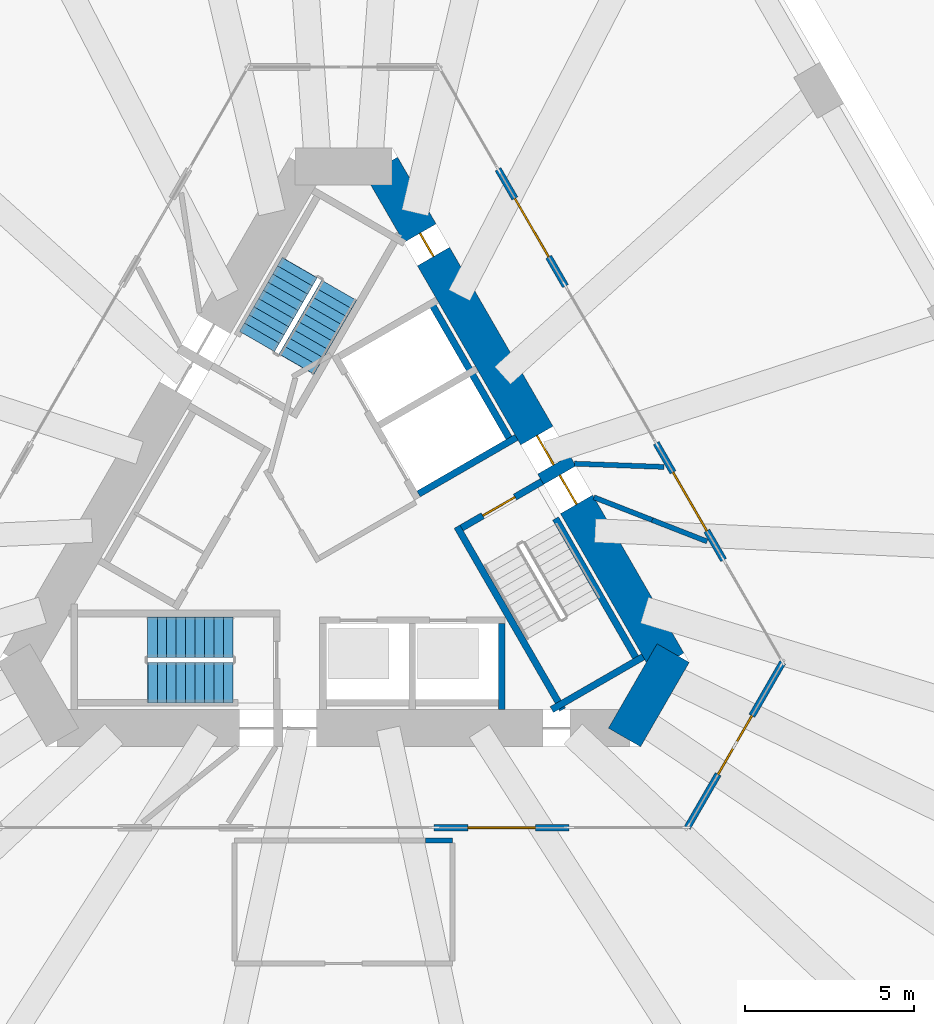
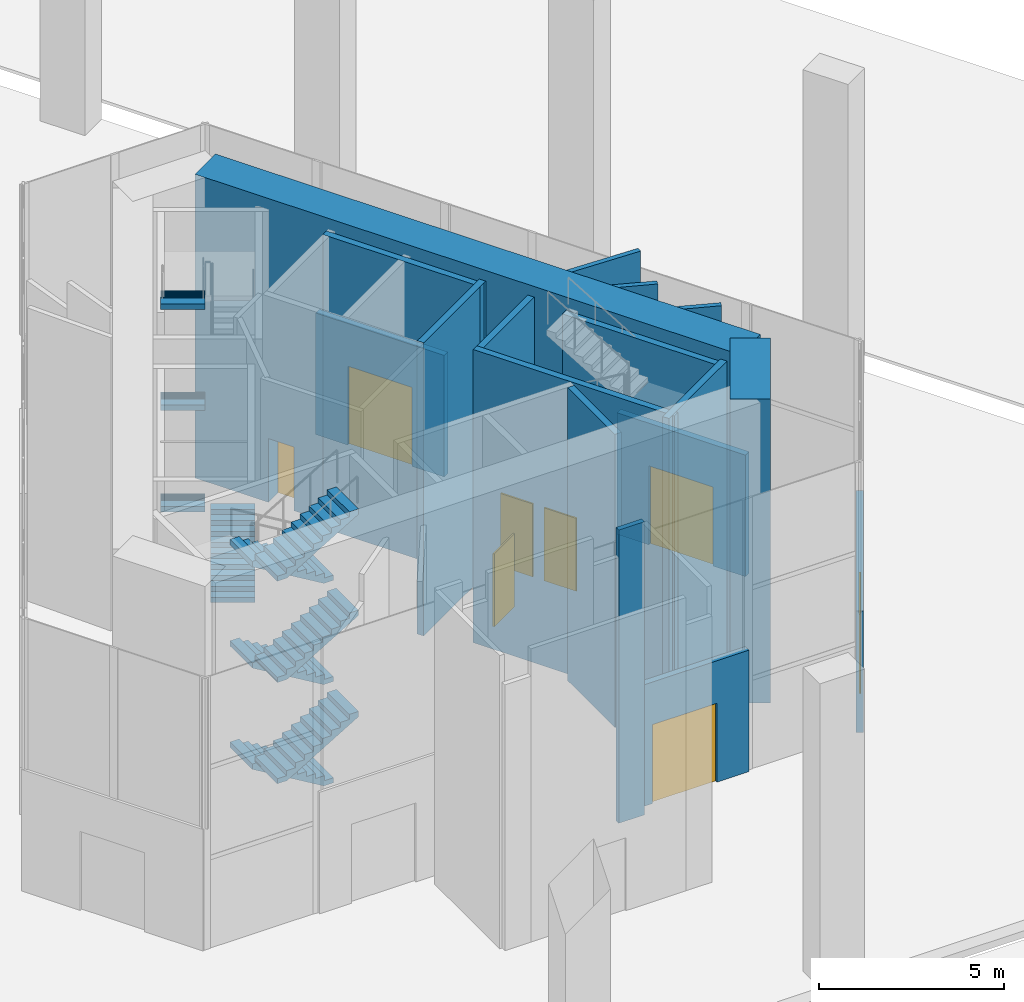
# One storey, part 9 of 13: 17 walls, 10 stair flights, 8 doors, 8 openings, 2 elements without a shape of their own.
"""IFC4 building model written with IfcOpenShell, lengths in metres."""

import ifcopenshell
import ifcopenshell.guid

model = None  # the IFC model being written
_history = None  # IfcOwnerHistory: only IFC2X3 demands one
_inside = {}  # id of a spatial element -> (the spatial element, [elements in it])
_under = {}  # id of a project, library or spatial element -> (it, [spatial elements below it])
_declared = {}  # id of a project -> (the project, [libraries it declares])
_typed = {}  # id of a type object -> (the type object, [elements of that type])
_made_of = {}  # id of a material, layer set ... -> (it, [elements and type objects made of it])


def new_model(schema):
    """Start an empty IFC model of exactly this schema.

    Asked for "IFC4X3", IfcOpenShell would pick the latest addendum, in which some entities
    have other attributes; the version numbers below select the first issue.
    IFC2X3 requires an IfcOwnerHistory on every rooted entity: one is made here for all.
    """
    global model, _history
    if schema == "IFC4X3":
        model = ifcopenshell.file(schema_version=(4, 3, 0, 0))
    else:
        model = ifcopenshell.file(schema=schema)
    _inside.clear()
    _under.clear()
    _declared.clear()
    _typed.clear()
    _made_of.clear()
    _history = None
    if model.schema == "IFC2X3":
        org = make("IfcOrganization", Name="unknown")
        user = make(
            "IfcPersonAndOrganization",
            ThePerson=make("IfcPerson", FamilyName="unknown"),
            TheOrganization=org,
        )
        app = make(
            "IfcApplication",
            ApplicationDeveloper=org,
            Version="unknown",
            ApplicationFullName="unknown",
            ApplicationIdentifier="unknown",
        )
        _history = make(
            "IfcOwnerHistory",
            OwningUser=user,
            OwningApplication=app,
            ChangeAction="ADDED",
            CreationDate=0,
        )
    return model


def make(cls, **values):
    """One entity of the class cls with the attributes given. An attribute that is None is left unset."""
    return model.create_entity(
        cls, **{name: value for name, value in values.items() if value is not None}
    )


def rooted(cls, **values):
    """An entity with a GlobalId (a new one), such as an element, a storey or a relation."""
    return make(cls, GlobalId=ifcopenshell.guid.new(), OwnerHistory=_history, **values)


def si_unit(unit_type, name, prefix=None):
    """IfcSIUnit, for example si_unit("LENGTHUNIT", "METRE", prefix="MILLI")."""
    return make("IfcSIUnit", UnitType=unit_type, Prefix=prefix, Name=name)


def assignment(units):
    """IfcUnitAssignment: the units of a project."""
    return None if units is None else make("IfcUnitAssignment", Units=units)


def point(xyz):
    """IfcCartesianPoint."""
    return None if xyz is None else make("IfcCartesianPoint", Coordinates=xyz)


def direction(xyz):
    """IfcDirection."""
    return None if xyz is None else make("IfcDirection", DirectionRatios=xyz)


def frame(location, z_axis=None, x_axis=None):
    """IfcAxis2Placement3D, a coordinate frame: its origin and axes. An axis left out is left unset."""
    return make(
        "IfcAxis2Placement3D",
        Location=point(location),
        Axis=direction(z_axis),
        RefDirection=direction(x_axis),
    )


def frame_2d(location, x_axis=None):
    """IfcAxis2Placement2D, a coordinate frame in the plane: its origin and x axis."""
    return make(
        "IfcAxis2Placement2D", Location=point(location), RefDirection=direction(x_axis)
    )


def origin():
    """The frame at (0, 0, 0) with its axes left unset."""
    return frame((0.0, 0.0, 0.0))


def place(relative_to, where):
    """IfcLocalPlacement: puts the frame where relative to a parent placement (None: the world)."""
    return make(
        "IfcLocalPlacement", PlacementRelTo=relative_to, RelativePlacement=where
    )


def context(
    kind, dimensions, precision=None, world=None, true_north=None, identifier=None
):
    """IfcGeometricRepresentationContext, for example the 3D "Model" context."""
    return make(
        "IfcGeometricRepresentationContext",
        ContextIdentifier=identifier,
        ContextType=kind,
        CoordinateSpaceDimension=dimensions,
        Precision=precision,
        WorldCoordinateSystem=world,
        TrueNorth=true_north,
    )


def subcontext(parent, identifier, kind, view, scale=None):
    """IfcGeometricRepresentationSubContext, for example "Body" below "Model"."""
    return make(
        "IfcGeometricRepresentationSubContext",
        ContextIdentifier=identifier,
        ContextType=kind,
        ParentContext=parent,
        TargetScale=scale,
        TargetView=view,
    )


def project(units=None, contexts=None):
    """IfcProject with its units and contexts."""
    return rooted(
        "IfcProject",
        Name="project",
        RepresentationContexts=contexts,
        UnitsInContext=assignment(units),
    )


def spatial(cls, under=None, at=None, **own):
    """A site, building, storey or space (cls), placed at a placement, below another one or the project."""
    s = rooted(cls, ObjectPlacement=at, **own)
    if under is not None:
        _under.setdefault(under.id(), (under, []))[1].append(s)
    return s


def polyline(points):
    """IfcPolyline through the points."""
    return make("IfcPolyline", Points=[point(p) for p in points])


def profile(cls, at=None, kind="AREA", **sizes):
    """A parametric profile (cls). Its sizes go by their IFC names, for example OverallWidth=200.0."""
    return make(cls, ProfileType=kind, Position=at, **sizes)


def rectangle(**sizes):
    """IfcRectangleProfileDef."""
    return profile("IfcRectangleProfileDef", **sizes)


def outline(outer, holes=None, kind="AREA"):
    """IfcArbitraryClosedProfileDef: a profile drawn as a closed curve; with holes, ...WithVoids."""
    if holes is None:
        return make("IfcArbitraryClosedProfileDef", ProfileType=kind, OuterCurve=outer)
    return make(
        "IfcArbitraryProfileDefWithVoids",
        ProfileType=kind,
        OuterCurve=outer,
        InnerCurves=holes,
    )


def extrude(swept, where, along, depth):
    """IfcExtrudedAreaSolid: the profile swept, set in the frame where, extruded along a direction by depth."""
    return make(
        "IfcExtrudedAreaSolid",
        SweptArea=swept,
        Position=where,
        ExtrudedDirection=direction(along),
        Depth=depth,
    )


def shape(context_of_items, identifier, shape_type, items):
    """IfcShapeRepresentation: the items that make up one representation, for example the "Body"."""
    return make(
        "IfcShapeRepresentation",
        ContextOfItems=context_of_items,
        RepresentationIdentifier=identifier,
        RepresentationType=shape_type,
        Items=items,
    )


def material(Name=None, Category=None):
    """IfcMaterial."""
    return make("IfcMaterial", Name=Name, Category=Category)


def layer(
    of_material, thickness, ventilated=None, Name=None, Category=None, Priority=None
):
    """IfcMaterialLayer: one layer of a wall or slab, of a material (None: an air gap)."""
    return make(
        "IfcMaterialLayer",
        Material=of_material,
        LayerThickness=thickness,
        IsVentilated=ventilated,
        Name=Name,
        Category=Category,
        Priority=Priority,
    )


def layer_set(layers, Name=None):
    """IfcMaterialLayerSet."""
    return make("IfcMaterialLayerSet", MaterialLayers=layers, LayerSetName=Name)


def made_of(thing, what):
    """Note that an element or type object is made of a material, layer set ...; save() writes the relation."""
    if what is not None:
        _made_of.setdefault(what.id(), (what, []))[1].append(thing)
    return thing


def type_object(cls, material=None, **own):
    """A type object (cls), such as IfcWallType, which elements share."""
    return made_of(rooted(cls, **own), material)


def element(
    cls,
    number,
    at=None,
    inside=None,
    cuts=None,
    type_object=None,
    material=None,
    context=None,
    identifier="Body",
    shape_type=None,
    held_by="IfcProductDefinitionShape",
    body=None,
    shapes=None,
    **own,
):
    """One element of the class cls, such as IfcWall. Its Tag is "e" and its number.

    at: its placement. inside: the storey or other place that contains it. cuts: it is an
    opening in that element (IfcRelVoidsElement). A single representation is given by context,
    identifier, shape_type and body (its items); several are given by shapes. held_by: the class
    of the entity that holds the representations. save() writes the other relations.
    """
    e = rooted(cls, Tag="e%d" % number, ObjectPlacement=at, **own)
    if body is not None:
        shapes = [shape(context, identifier, shape_type, body)]
    if shapes is not None:
        e.Representation = make(held_by, Representations=shapes)
    if inside is not None:
        _inside.setdefault(inside.id(), (inside, []))[1].append(e)
    if cuts is not None:
        rooted(
            "IfcRelVoidsElement", RelatingBuildingElement=cuts, RelatedOpeningElement=e
        )
    if type_object is not None:
        _typed.setdefault(type_object.id(), (type_object, []))[1].append(e)
    return made_of(e, material)


def fill(opening, filler):
    """IfcRelFillsElement: the door or window that sits in an opening."""
    return rooted(
        "IfcRelFillsElement",
        RelatingOpeningElement=opening,
        RelatedBuildingElement=filler,
    )


def aggregate(whole, parts):
    """IfcRelAggregates: a whole, such as a stair, and the parts it consists of."""
    return rooted("IfcRelAggregates", RelatingObject=whole, RelatedObjects=parts)


def save(model, path):
    """Write the relations noted so far, then the file.

    IfcRelAggregates (storeys below a building ...), IfcRelContainedInSpatialStructure (elements
    in a storey), IfcRelDefinesByType, IfcRelAssociatesMaterial and IfcRelDeclares: one each for
    every whole, place, type object, material and project.
    """
    for whole, parts in _under.values():
        aggregate(whole, parts)
    for where, things in _inside.values():
        rooted(
            "IfcRelContainedInSpatialStructure",
            RelatedElements=things,
            RelatingStructure=where,
        )
    for kind, things in _typed.values():
        rooted("IfcRelDefinesByType", RelatedObjects=things, RelatingType=kind)
    for what, things in _made_of.values():
        rooted("IfcRelAssociatesMaterial", RelatedObjects=things, RelatingMaterial=what)
    for by, libraries in _declared.values():
        rooted("IfcRelDeclares", RelatingContext=by, RelatedDefinitions=libraries)
    model.write(path)


model = new_model("IFC4")

# Units and contexts
model_context = context("Model", 3, precision=1e-05, world=origin(), true_north=direction((0.0, 1.0)))
body_context = subcontext(model_context, "Body", "Model", "MODEL_VIEW")
ifc_project = project(units=[si_unit("LENGTHUNIT", "METRE"), si_unit("AREAUNIT", "SQUARE_METRE"), si_unit("VOLUMEUNIT", "CUBIC_METRE"), si_unit("PLANEANGLEUNIT", "RADIAN"), si_unit("MASSUNIT", "GRAM", prefix="KILO")], contexts=[model_context])

# Site, building, storey
site_placement = place(None, origin())
site = spatial("IfcSite", under=ifc_project, at=site_placement, CompositionType="ELEMENT")
building_placement = place(site_placement, origin())
building = spatial("IfcBuilding", under=site, at=building_placement, Name="Tramontana Tower", CompositionType="ELEMENT")
storey_placement = place(building_placement, origin())
storey = spatial("IfcBuildingStorey", under=building, at=storey_placement, Name="L00", CompositionType="ELEMENT", Elevation=0.0)

# Wall
ifc_material_1 = material(Name="Concrete 70 MPa", Category="concrete")
ifc_layer_1 = layer(ifc_material_1, 1.10009765625)
ifc_layer_set_1 = layer_set([ifc_layer_1], Name="Core wall 1100 70 MPa")
wall_type_1 = type_object("IfcWallType", Name="Core wall 1100 70 MPa", PredefinedType="SHEAR", material=ifc_layer_set_1)
wall_1_placement = place(storey_placement, frame((8.328369140625, -6.47509765625, 0.0), z_axis=(0.0, 0.0, 1.0), x_axis=(0.499995765644, 0.866027848477, 0.0)))
element("IfcWall", 1, at=wall_1_placement, inside=storey, type_object=wall_type_1, Name="Core wall C4 L00", PredefinedType="SHEAR", context=body_context, shape_type="SweptSolid", body=[
    extrude(rectangle(XDim=2.88671875, YDim=1.10009765625, at=frame_2d((1.443359375, 0.0))), origin(), (0.0, 0.0, 1.0), 10.0),
])

# Wall, openings, doors
wall_2_placement = place(storey_placement, frame((9.61279296875, -4.25, 0.0), z_axis=(0.0, 0.0, 1.0), x_axis=(-0.500001757713, 0.866024388966, 0.0)))
wall_2 = element("IfcWall", 2, at=wall_2_placement, inside=storey, type_object=wall_type_1, Name="Core wall C5 L00", PredefinedType="SHEAR", context=body_context, shape_type="SweptSolid", body=[
    extrude(rectangle(XDim=16.97412109375, YDim=1.10009765625, at=frame_2d((8.487060546875, 0.0))), origin(), (0.0, 0.0, 1.0), 10.0),
])
opening_1_placement = place(wall_2_placement, frame((5.406982421875, 0.0, 0.0)))
opening_1 = element("IfcOpeningElement", 3, at=opening_1_placement, cuts=wall_2, Name="Opening SE3", PredefinedType="OPENING", context=body_context, shape_type="SweptSolid", body=[
    extrude(rectangle(XDim=1.0, YDim=2.39990234375, at=frame_2d((0.5, 1.199951171875))), frame((0.0, 0.56005859375, 0.0), z_axis=(0.0, -1.0, 0.0), x_axis=(1.0, 0.0, 0.0)), (0.0, 0.0, 1.0), 1.1201171875),
])
opening_2_placement = place(wall_2_placement, frame((6.761962890625, 0.0, 0.0)))
opening_2 = element("IfcOpeningElement", 4, at=opening_2_placement, cuts=wall_2, Name="Opening RG3", PredefinedType="OPENING", context=body_context, shape_type="SweptSolid", body=[
    extrude(rectangle(XDim=1.0, YDim=2.39990234375, at=frame_2d((0.5, 1.199951171875))), frame((0.0, 0.56005859375, 0.0), z_axis=(0.0, -1.0, 0.0), x_axis=(1.0, 0.0, 0.0)), (0.0, 0.0, 1.0), 1.1201171875),
])
opening_3_placement = place(wall_2_placement, frame((13.88916015625, 0.0, 0.0)))
opening_3 = element("IfcOpeningElement", 5, at=opening_3_placement, cuts=wall_2, Name="Opening PD3", PredefinedType="OPENING", context=body_context, shape_type="SweptSolid", body=[
    extrude(rectangle(XDim=0.800048828125, YDim=2.10009765625, at=frame_2d((0.39990234375, 1.050048828125))), frame((0.0, 0.56005859375, 0.0), z_axis=(0.0, -1.0, 0.0), x_axis=(1.0, 0.0, 0.0)), (0.0, 0.0, 1.0), 1.1201171875),
])
ifc_material_2 = material(Name="Painted steel", Category="steel")
door_type_1 = type_object("IfcDoorType", Name="CUPBOARD DOOR 800", OperationType="SINGLE_SWING_LEFT", PredefinedType="DOOR", material=ifc_material_2)
door_1_placement = place(opening_3_placement, origin())
door_1 = element("IfcDoor", 6, at=door_1_placement, inside=storey, type_object=door_type_1, Name="Door PD3", OperationType="SINGLE_SWING_LEFT", OverallHeight=2.10009765625, OverallWidth=0.800048828125, PredefinedType="DOOR", context=body_context, shape_type="SweptSolid", body=[
    extrude(rectangle(XDim=0.800048828125, YDim=2.10009765625, at=frame_2d((0.39990234375, 1.050048828125))), frame((0.0, 0.02490234375, 0.0), z_axis=(0.0, -1.0, 0.0), x_axis=(1.0, 0.0, 0.0)), (0.0, 0.0, 1.0), 0.050048828125),
])
fill(opening_3, door_1)
ifc_material_3 = material(Name="Painted steel", Category="steel")
door_type_2 = type_object("IfcDoorType", Name="RING DOOR 1000", OperationType="SINGLE_SWING_LEFT", PredefinedType="DOOR", material=ifc_material_3)
door_2_placement = place(opening_2_placement, origin())
door_2 = element("IfcDoor", 7, at=door_2_placement, inside=storey, type_object=door_type_2, Name="Door RG3", OperationType="SINGLE_SWING_LEFT", OverallHeight=2.39990234375, OverallWidth=1.0, PredefinedType="DOOR", context=body_context, shape_type="SweptSolid", body=[
    extrude(rectangle(XDim=1.0, YDim=2.39990234375, at=frame_2d((0.5, 1.199951171875))), frame((0.0, 0.02490234375, 0.0), z_axis=(0.0, -1.0, 0.0), x_axis=(1.0, 0.0, 0.0)), (0.0, 0.0, 1.0), 0.050048828125),
])
fill(opening_2, door_2)
ifc_material_4 = material(Name="Painted steel", Category="steel")
door_type_3 = type_object("IfcDoorType", Name="STAIR DOOR 1100", OperationType="SINGLE_SWING_LEFT", PredefinedType="DOOR", material=ifc_material_4)
door_3_placement = place(opening_1_placement, origin())
door_3 = element("IfcDoor", 8, at=door_3_placement, inside=storey, type_object=door_type_3, Name="Door SE3", OperationType="SINGLE_SWING_LEFT", OverallHeight=2.39990234375, OverallWidth=1.0, PredefinedType="DOOR", context=body_context, shape_type="SweptSolid", body=[
    extrude(rectangle(XDim=1.0, YDim=2.39990234375, at=frame_2d((0.5, 1.199951171875))), frame((0.0, 0.02490234375, 0.0), z_axis=(0.0, -1.0, 0.0), x_axis=(1.0, 0.0, 0.0)), (0.0, 0.0, 1.0), 0.050048828125),
])
fill(opening_1, door_3)

# Wall, opening, door
ifc_material_5 = material(Name="Aluminum extrusion", Category="aluminium")
ifc_layer_2 = layer(ifc_material_5, 0.199951171875)
ifc_layer_set_2 = layer_set([ifc_layer_2], Name="EF1 Entrance frame wall 200")
wall_type_2 = type_object("IfcWallType", Name="EF1 Entrance frame wall 200", PredefinedType="STANDARD", material=ifc_layer_set_2)
wall_3_placement = place(storey_placement, frame((4.580322265625, 10.366455078125, 0.0), z_axis=(0.0, 0.0, 1.0), x_axis=(0.49999894854, -0.866026010844, 0.0)))
wall_3 = element("IfcWall", 9, at=wall_3_placement, inside=storey, type_object=wall_type_2, Name="Entrance frame 1.1", PredefinedType="STANDARD", context=body_context, shape_type="SweptSolid", body=[
    extrude(rectangle(XDim=4.0, YDim=0.199951171875, at=frame_2d((2.0, 0.0))), origin(), (0.0, 0.0, 1.0), 4.0),
])
opening_4_placement = place(wall_3_placement, frame((1.0, 0.0, 0.0)))
opening_4 = element("IfcOpeningElement", 10, at=opening_4_placement, cuts=wall_3, Name="Opening ED-11", PredefinedType="OPENING", context=body_context, shape_type="SweptSolid", body=[
    extrude(rectangle(XDim=2.0, YDim=2.60009765625, at=frame_2d((1.0, 1.300048828125))), frame((0.0, 0.10986328125, 0.0), z_axis=(0.0, -1.0, 0.0), x_axis=(1.0, 0.0, 0.0)), (0.0, 0.0, 1.0), 0.219970703125),
])
ifc_material_6 = material(Name="Aluminum frame, double glazing unit", Category="aluminium")
door_type_4 = type_object("IfcDoorType", Name="ED1 Entrance door 2000 x 2600", OperationType="DOUBLE_DOOR_SINGLE_SWING", PredefinedType="DOOR", material=ifc_material_6)
door_4_placement = place(opening_4_placement, origin())
door_4 = element("IfcDoor", 11, at=door_4_placement, inside=storey, type_object=door_type_4, Name="Entrance door 1.1", OperationType="DOUBLE_DOOR_SINGLE_SWING", OverallHeight=2.60009765625, OverallWidth=2.0, PredefinedType="DOOR", context=body_context, shape_type="SweptSolid", body=[
    extrude(rectangle(XDim=2.0, YDim=2.60009765625, at=frame_2d((1.0, 1.300048828125))), frame((0.0, 0.02490234375, 0.0), z_axis=(0.0, -1.0, 0.0), x_axis=(1.0, 0.0, 0.0)), (0.0, 0.0, 1.0), 0.050048828125),
])
fill(opening_4, door_4)

wall_4_placement = place(storey_placement, frame((9.267822265625, 2.24755859375, 0.0), z_axis=(0.0, 0.0, 1.0), x_axis=(0.49999894854, -0.866026010844, 0.0)))
wall_4 = element("IfcWall", 12, at=wall_4_placement, inside=storey, type_object=wall_type_2, Name="Entrance frame 1.2", PredefinedType="STANDARD", context=body_context, shape_type="SweptSolid", body=[
    extrude(rectangle(XDim=4.0, YDim=0.199951171875, at=frame_2d((2.0, 0.0))), origin(), (0.0, 0.0, 1.0), 4.0),
])
opening_5_placement = place(wall_4_placement, frame((1.0, 0.0, 0.0)))
opening_5 = element("IfcOpeningElement", 13, at=opening_5_placement, cuts=wall_4, Name="Opening ED-12", PredefinedType="OPENING", context=body_context, shape_type="SweptSolid", body=[
    extrude(rectangle(XDim=2.0, YDim=2.60009765625, at=frame_2d((1.0, 1.300048828125))), frame((0.0, 0.10986328125, 0.0), z_axis=(0.0, -1.0, 0.0), x_axis=(1.0, 0.0, 0.0)), (0.0, 0.0, 1.0), 0.219970703125),
])
door_5_placement = place(opening_5_placement, origin())
door_5 = element("IfcDoor", 14, at=door_5_placement, inside=storey, type_object=door_type_4, Name="Entrance door 1.2", OperationType="DOUBLE_DOOR_SINGLE_SWING", OverallHeight=2.60009765625, OverallWidth=2.0, PredefinedType="DOOR", context=body_context, shape_type="SweptSolid", body=[
    extrude(rectangle(XDim=2.0, YDim=2.60009765625, at=frame_2d((1.0, 1.300048828125))), frame((0.0, 0.02490234375, 0.0), z_axis=(0.0, -1.0, 0.0), x_axis=(1.0, 0.0, 0.0)), (0.0, 0.0, 1.0), 0.050048828125),
])
fill(opening_5, door_5)

wall_5_placement = place(storey_placement, frame((13.019287109375, -4.25, 0.0), z_axis=(0.0, 0.0, 1.0), x_axis=(-0.500018773155, -0.866014564827, 0.0)))
wall_5 = element("IfcWall", 15, at=wall_5_placement, inside=storey, type_object=wall_type_2, Name="Stair exit frame 1", PredefinedType="STANDARD", context=body_context, shape_type="SweptSolid", body=[
    extrude(rectangle(XDim=5.657958984375, YDim=0.199951171875, at=frame_2d((2.8291015625, 0.0))), origin(), (0.0, 0.0, 1.0), 4.0),
])
opening_6_placement = place(wall_5_placement, frame((1.8291015625, 0.0, 0.0)))
opening_6 = element("IfcOpeningElement", 16, at=opening_6_placement, cuts=wall_5, Name="Opening ED-41", PredefinedType="OPENING", context=body_context, shape_type="SweptSolid", body=[
    extrude(rectangle(XDim=2.0, YDim=2.60009765625, at=frame_2d((1.0, 1.300048828125))), frame((0.0, 0.10986328125, 0.0), z_axis=(0.0, -1.0, 0.0), x_axis=(1.0, 0.0, 0.0)), (0.0, 0.0, 1.0), 0.219970703125),
])
door_6_placement = place(opening_6_placement, origin())
door_6 = element("IfcDoor", 17, at=door_6_placement, inside=storey, type_object=door_type_4, Name="Stair exit door 1", OperationType="DOUBLE_DOOR_SINGLE_SWING", OverallHeight=2.60009765625, OverallWidth=2.0, PredefinedType="DOOR", context=body_context, shape_type="SweptSolid", body=[
    extrude(rectangle(XDim=2.0, YDim=2.60009765625, at=frame_2d((1.0, 1.300048828125))), frame((0.0, 0.02490234375, 0.0), z_axis=(0.0, -1.0, 0.0), x_axis=(1.0, 0.0, 0.0)), (0.0, 0.0, 1.0), 0.050048828125),
])
fill(opening_6, door_6)

wall_6_placement = place(storey_placement, frame((6.6875, -9.14990234375, 0.0), z_axis=(0.0, 0.0, 1.0), x_axis=(-1.0, 0.0, 0.0)))
wall_6 = element("IfcWall", 18, at=wall_6_placement, inside=storey, type_object=wall_type_2, Name="Entrance frame 2.1", PredefinedType="STANDARD", context=body_context, shape_type="SweptSolid", body=[
    extrude(rectangle(XDim=4.0, YDim=0.199951171875, at=frame_2d((2.0, 0.0))), origin(), (0.0, 0.0, 1.0), 4.0),
])
opening_7_placement = place(wall_6_placement, frame((1.0, 0.0, 0.0)))
opening_7 = element("IfcOpeningElement", 19, at=opening_7_placement, cuts=wall_6, Name="Opening ED-21", PredefinedType="OPENING", context=body_context, shape_type="SweptSolid", body=[
    extrude(rectangle(XDim=2.0, YDim=2.60009765625, at=frame_2d((1.0, 1.300048828125))), frame((0.0, 0.10986328125, 0.0), z_axis=(0.0, -1.0, 0.0), x_axis=(1.0, 0.0, 0.0)), (0.0, 0.0, 1.0), 0.219970703125),
])
door_7_placement = place(opening_7_placement, origin())
door_7 = element("IfcDoor", 20, at=door_7_placement, inside=storey, type_object=door_type_4, Name="Entrance door 2.1", OperationType="DOUBLE_DOOR_SINGLE_SWING", OverallHeight=2.60009765625, OverallWidth=2.0, PredefinedType="DOOR", context=body_context, shape_type="SweptSolid", body=[
    extrude(rectangle(XDim=2.0, YDim=2.60009765625, at=frame_2d((1.0, 1.300048828125))), frame((0.0, 0.02490234375, 0.0), z_axis=(0.0, -1.0, 0.0), x_axis=(1.0, 0.0, 0.0)), (0.0, 0.0, 1.0), 0.050048828125),
])
fill(opening_7, door_7)

# Walls
ifc_material_7 = material(Name="Blockwork", Category="masonry")
ifc_layer_3 = layer(ifc_material_7, 0.14990234375)
ifc_layer_set_3 = layer_set([ifc_layer_3], Name="ENCLOSURE WALL 150")
wall_type_3 = type_object("IfcWallType", Name="ENCLOSURE WALL 150", PredefinedType="SOLIDWALL", material=ifc_layer_set_3)
wall_7_placement = place(storey_placement, frame((3.22509765625, -9.52490234375, 0.0), z_axis=(0.0, 0.0, 1.0), x_axis=(-1.0, 0.0, 0.0)))
element("IfcWall", 21, at=wall_7_placement, inside=storey, type_object=wall_type_3, Name="Wall fcc-in-0", PredefinedType="SOLIDWALL", context=body_context, shape_type="SweptSolid", body=[
    extrude(rectangle(XDim=0.796142578125, YDim=0.14990234375, at=frame_2d((0.39794921875, 0.0))), origin(), (0.0, 0.0, 1.0), 9.64990234375),
])
ifc_material_8 = material(Name="Gypsum board partition")
ifc_layer_4 = layer(ifc_material_8, 0.14990234375)
ifc_layer_set_4 = layer_set([ifc_layer_4], Name="PARTITION 150")
wall_type_4 = type_object("IfcWallType", Name="PARTITION 150", PredefinedType="PARTITIONING", material=ifc_layer_set_4)
wall_8_placement = place(storey_placement, frame((7.423095703125, 0.642578125, 0.0), z_axis=(0.0, 0.0, 1.0), x_axis=(0.931641653134, -0.363378356738, 0.0)))
element("IfcWall", 22, at=wall_8_placement, inside=storey, type_object=wall_type_4, Name="Wall exitp3-l-0", PredefinedType="PARTITIONING", context=body_context, shape_type="SweptSolid", body=[
    extrude(rectangle(XDim=1.857666015625, YDim=0.14990234375, at=frame_2d((0.9287109375, 0.0))), origin(), (0.0, 0.0, 1.0), 9.64990234375),
])
wall_9_placement = place(storey_placement, frame((9.15380859375, -0.032470703125, 0.0), z_axis=(0.0, 0.0, 1.0), x_axis=(0.931575304138, -0.363548418675, 0.0)))
element("IfcWall", 23, at=wall_9_placement, inside=storey, type_object=wall_type_4, Name="Wall exitp3-l-1", PredefinedType="PARTITIONING", context=body_context, shape_type="SweptSolid", body=[
    extrude(rectangle(XDim=1.741943359375, YDim=0.14990234375, at=frame_2d((0.87109375, 0.0))), origin(), (0.0, 0.0, 1.0), 8.75),
])
wall_10_placement = place(storey_placement, frame((6.84814453125, 1.638671875, 0.0), z_axis=(0.0, 0.0, 1.0), x_axis=(0.999343619738, -0.036226091285, 0.0)))
element("IfcWall", 24, at=wall_10_placement, inside=storey, type_object=wall_type_4, Name="Wall exitp3-r", PredefinedType="PARTITIONING", context=body_context, shape_type="SweptSolid", body=[
    extrude(rectangle(XDim=2.6552734375, YDim=0.14990234375, at=frame_2d((1.32763671875, 0.0))), origin(), (0.0, 0.0, 1.0), 9.64990234375),
])
ifc_material_9 = material(Name="Concrete 70 MPa", Category="concrete")
ifc_layer_5 = layer(ifc_material_9, 0.199951171875)
ifc_layer_set_5 = layer_set([ifc_layer_5], Name="Concrete 70 MPa, 200 mm")
wall_type_5 = type_object("IfcWallType", Name="RC SHAFT BACK WALL 200", PredefinedType="SOLIDWALL", material=ifc_layer_set_5)
wall_11_placement = place(storey_placement, frame((8.759765625, -4.2724609375, 0.0), z_axis=(0.0, 0.0, 1.0), x_axis=(-0.499974350878, 0.866040211805, 0.0)))
element("IfcWall", 25, at=wall_11_placement, inside=storey, type_object=wall_type_5, Name="Wall st3-back", PredefinedType="SOLIDWALL", context=body_context, shape_type="SweptSolid", body=[
    extrude(rectangle(XDim=4.949951171875, YDim=0.199951171875, at=frame_2d((2.47509765625, 0.0))), origin(), (0.0, 0.0, 1.0), 9.64990234375),
])
wall_12_placement = place(storey_placement, frame((5.0048828125, 2.2314453125, 0.0), z_axis=(0.0, 0.0, 1.0), x_axis=(-0.500002801628, 0.866023786258, 0.0)))
element("IfcWall", 26, at=wall_12_placement, inside=storey, type_object=wall_type_5, Name="Wall row2-back", PredefinedType="SOLIDWALL", context=body_context, shape_type="SweptSolid", body=[
    extrude(rectangle(XDim=4.89990234375, YDim=0.199951171875, at=frame_2d((2.449951171875, 0.0))), origin(), (0.0, 0.0, 1.0), 9.64990234375),
])
ifc_material_10 = material(Name="Concrete 70 MPa", Category="concrete")
ifc_layer_6 = layer(ifc_material_10, 0.199951171875)
ifc_layer_set_6 = layer_set([ifc_layer_6], Name="Concrete 70 MPa, 200 mm")
wall_type_6 = type_object("IfcWallType", Name="RC STAIR AND SHAFT WALL 200", PredefinedType="SOLIDWALL", material=ifc_layer_set_6)
wall_13_placement = place(storey_placement, frame((6.4951171875, -5.64990234375, 0.0), z_axis=(0.0, 0.0, 1.0), x_axis=(-0.499976754523, 0.866038824151, 0.0)))
element("IfcWall", 27, at=wall_13_placement, inside=storey, type_object=wall_type_6, Name="Wall st3-front", PredefinedType="SOLIDWALL", context=body_context, shape_type="SweptSolid", body=[
    extrude(rectangle(XDim=6.260498046875, YDim=0.199951171875, at=frame_2d((3.13037109375, 0.0))), origin(), (0.0, 0.0, 1.0), 9.64990234375),
])
wall_14_placement = place(storey_placement, frame((6.173828125, -5.64990234375, 0.0), z_axis=(0.0, 0.0, 1.0), x_axis=(0.866054327916, 0.499949898588, 0.0)))
element("IfcWall", 28, at=wall_14_placement, inside=storey, type_object=wall_type_6, Name="Wall st3-far", PredefinedType="SOLIDWALL", context=body_context, shape_type="SweptSolid", body=[
    extrude(rectangle(XDim=3.128173828125, YDim=0.199951171875, at=frame_2d((1.56396484375, 0.0))), origin(), (0.0, 0.0, 1.0), 9.64990234375),
])

# Wall, opening, door
wall_15_placement = place(storey_placement, frame((3.50146484375, -0.2646484375, 0.0), z_axis=(0.0, 0.0, 1.0), x_axis=(0.866027397988, 0.499996545922, 0.0)))
wall_15 = element("IfcWall", 29, at=wall_15_placement, inside=storey, type_object=wall_type_6, Name="Wall st3-near", PredefinedType="SOLIDWALL", context=body_context, shape_type="SweptSolid", body=[
    extrude(rectangle(XDim=2.75, YDim=0.199951171875, at=frame_2d((1.375, 0.0))), origin(), (0.0, 0.0, 1.0), 9.64990234375),
])
opening_8_placement = place(wall_15_placement, frame((0.72509765625, 0.0, 0.0)))
opening_8 = element("IfcOpeningElement", 30, at=opening_8_placement, cuts=wall_15, Name="Opening SD3", PredefinedType="OPENING", context=body_context, shape_type="SweptSolid", body=[
    extrude(rectangle(XDim=1.10009765625, YDim=2.39990234375, at=frame_2d((0.550048828125, 1.199951171875))), frame((0.0, 0.10986328125, 0.0), z_axis=(0.0, -1.0, 0.0), x_axis=(1.0, 0.0, 0.0)), (0.0, 0.0, 1.0), 0.219970703125),
])
door_8_placement = place(opening_8_placement, origin())
door_8 = element("IfcDoor", 31, at=door_8_placement, inside=storey, type_object=door_type_3, Name="Door SD3", OperationType="SINGLE_SWING_RIGHT", OverallHeight=2.39990234375, OverallWidth=1.10009765625, PredefinedType="DOOR", context=body_context, shape_type="SweptSolid", body=[
    extrude(rectangle(XDim=1.10009765625, YDim=2.39990234375, at=frame_2d((0.550048828125, 1.199951171875))), frame((0.0, 0.02490234375, 0.0), z_axis=(0.0, -1.0, 0.0), x_axis=(1.0, 0.0, 0.0)), (0.0, 0.0, 1.0), 0.050048828125),
])
fill(opening_8, door_8)

# Walls
wall_16_placement = place(storey_placement, frame((4.68994140625, -3.10009765625, 0.0), z_axis=(0.0, 0.0, 1.0), x_axis=(0.0, -1.0, 0.0)))
element("IfcWall", 32, at=wall_16_placement, inside=storey, type_object=wall_type_6, Name="Wall row1-side2", PredefinedType="SOLIDWALL", context=body_context, shape_type="SweptSolid", body=[
    extrude(rectangle(XDim=2.5498046875, YDim=0.199951171875, at=frame_2d((1.27490234375, 0.0))), origin(), (0.0, 0.0, 1.0), 9.64990234375),
])
wall_17_placement = place(storey_placement, frame((2.226806640625, 0.742919921875, 0.0), z_axis=(0.0, 0.0, 1.0), x_axis=(0.866014461049, 0.500018952895, 0.0)))
element("IfcWall", 33, at=wall_17_placement, inside=storey, type_object=wall_type_6, Name="Wall row2-side0", PredefinedType="SOLIDWALL", context=body_context, shape_type="SweptSolid", body=[
    extrude(rectangle(XDim=3.349853515625, YDim=0.199951171875, at=frame_2d((1.6748046875, 0.0))), origin(), (0.0, 0.0, 1.0), 9.64990234375),
])

# Stair, stair flights
ifc_material_11 = material(Name="Concrete 40 MPa", Category="concrete")
stair_type = type_object("IfcStairType", Name="EXIT STAIR 60 RISERS", PredefinedType="HALF_TURN_STAIR", material=ifc_material_11)
stair_1_placement = place(storey_placement, origin())
stair_1 = element("IfcStair", 34, at=stair_1_placement, inside=storey, type_object=stair_type, Name="L00 Exit stair ST1", PredefinedType="HALF_TURN_STAIR")
ifc_material_12 = material(Name="Concrete 40 MPa", Category="concrete")
ifc_layer_7 = layer(ifc_material_12, 0.14990234375)
ifc_layer_set_7 = layer_set([ifc_layer_7], Name="EXIT STAIR FLIGHT")
stair_flight_type = type_object("IfcStairFlightType", Name="EXIT STAIR FLIGHT", PredefinedType="STRAIGHT", material=ifc_layer_set_7)
stair_flight_1_placement = place(storey_placement, frame((-1.39111328125, 4.590576171875, 0.0), z_axis=(0.0, 0.0, 1.0), x_axis=(0.5, 0.866025403784, 0.0)))
stair_flight_1 = element("IfcStairFlight", 35, at=stair_flight_1_placement, type_object=stair_flight_type, Name="ST1 flight 1", NumberOfRisers=10, NumberOfTreads=9, PredefinedType="STRAIGHT", RiserHeight=0.166666667, TreadLength=0.28, context=body_context, shape_type="SweptSolid", body=[
    extrude(outline(polyline([(-0.006103515625, 0.0), (-0.006103515625, 0.0400390625), (0.0, 0.0400390625), (0.0, 0.166748046875), (0.280029296875, 0.166748046875), (0.280029296875, 0.333251953125), (0.56005859375, 0.333251953125), (0.56005859375, 0.5), (0.840087890625, 0.5), (0.840087890625, 0.666748046875), (1.1201171875, 0.666748046875), (1.1201171875, 0.833251953125), (1.39990234375, 0.833251953125), (1.39990234375, 1.0), (1.679931640625, 1.0), (1.679931640625, 1.166748046875), (1.9599609375, 1.166748046875), (1.9599609375, 1.333251953125), (2.239990234375, 1.333251953125), (2.239990234375, 1.5), (2.52001953125, 1.5), (2.52587890625, 1.5), (2.52587890625, 1.325439453125), (0.299072265625, 0.0), (-0.006103515625, 0.0)])), frame((0.0, 0.60009765625, 0.0), z_axis=(0.0, -1.0, 0.0), x_axis=(1.0, 0.0, 0.0)), (0.0, 0.0, 1.0), 1.199951171875),
])
stair_flight_2_placement = place(storey_placement, frame((-1.30029296875, 7.447998046875, 1.666748046875), z_axis=(0.0, 0.0, 1.0), x_axis=(-0.5, -0.866025403784, 0.0)))
stair_flight_2 = element("IfcStairFlight", 36, at=stair_flight_2_placement, type_object=stair_flight_type, Name="ST1 flight 2", NumberOfRisers=10, NumberOfTreads=9, PredefinedType="STRAIGHT", RiserHeight=0.166666667, TreadLength=0.28, context=body_context, shape_type="SweptSolid", body=[
    extrude(outline(polyline([(-0.006103515625, 0.0), (-0.006103515625, 0.0400390625), (0.0, 0.0400390625), (0.0, 0.166748046875), (0.280029296875, 0.166748046875), (0.280029296875, 0.333251953125), (0.56005859375, 0.333251953125), (0.56005859375, 0.5), (0.840087890625, 0.5), (0.840087890625, 0.666748046875), (1.1201171875, 0.666748046875), (1.1201171875, 0.833251953125), (1.39990234375, 0.833251953125), (1.39990234375, 1.0), (1.679931640625, 1.0), (1.679931640625, 1.166748046875), (1.9599609375, 1.166748046875), (1.9599609375, 1.333251953125), (2.239990234375, 1.333251953125), (2.239990234375, 1.5), (2.52001953125, 1.5), (2.52587890625, 1.5), (2.52587890625, 1.325439453125), (0.299072265625, 0.0), (-0.006103515625, 0.0)])), frame((0.0, 0.60009765625, 0.0), z_axis=(0.0, -1.0, 0.0), x_axis=(1.0, 0.0, 0.0)), (0.0, 0.0, 1.0), 1.199951171875),
])
stair_flight_3_placement = place(storey_placement, frame((-1.30029296875, 7.447998046875, 5.0), z_axis=(0.0, 0.0, 1.0), x_axis=(-0.5, -0.866025403784, 0.0)))
stair_flight_3 = element("IfcStairFlight", 37, at=stair_flight_3_placement, type_object=stair_flight_type, Name="ST1 flight 4", NumberOfRisers=10, NumberOfTreads=9, PredefinedType="STRAIGHT", RiserHeight=0.166666667, TreadLength=0.28, context=body_context, shape_type="SweptSolid", body=[
    extrude(outline(polyline([(-0.006103515625, 0.0), (-0.006103515625, 0.0400390625), (0.0, 0.0400390625), (0.0, 0.166748046875), (0.280029296875, 0.166748046875), (0.280029296875, 0.333251953125), (0.56005859375, 0.333251953125), (0.56005859375, 0.5), (0.840087890625, 0.5), (0.840087890625, 0.666748046875), (1.1201171875, 0.666748046875), (1.1201171875, 0.833251953125), (1.39990234375, 0.833251953125), (1.39990234375, 1.0), (1.679931640625, 1.0), (1.679931640625, 1.166748046875), (1.9599609375, 1.166748046875), (1.9599609375, 1.333251953125), (2.239990234375, 1.333251953125), (2.239990234375, 1.5), (2.52001953125, 1.5), (2.52587890625, 1.5), (2.52587890625, 1.325439453125), (0.299072265625, 0.0), (-0.006103515625, 0.0)])), frame((0.0, 0.60009765625, 0.0), z_axis=(0.0, -1.0, 0.0), x_axis=(1.0, 0.0, 0.0)), (0.0, 0.0, 1.0), 1.199951171875),
])
stair_flight_4_placement = place(storey_placement, frame((-1.30029296875, 7.447998046875, 8.333251953125), z_axis=(0.0, 0.0, 1.0), x_axis=(-0.5, -0.866025403784, 0.0)))
stair_flight_4 = element("IfcStairFlight", 38, at=stair_flight_4_placement, type_object=stair_flight_type, Name="ST1 flight 6", NumberOfRisers=10, NumberOfTreads=9, PredefinedType="STRAIGHT", RiserHeight=0.166666667, TreadLength=0.28, context=body_context, shape_type="SweptSolid", body=[
    extrude(outline(polyline([(-0.006103515625, 0.0), (-0.006103515625, 0.0400390625), (0.0, 0.0400390625), (0.0, 0.166748046875), (0.280029296875, 0.166748046875), (0.280029296875, 0.333251953125), (0.56005859375, 0.333251953125), (0.56005859375, 0.5), (0.840087890625, 0.5), (0.840087890625, 0.666748046875), (1.1201171875, 0.666748046875), (1.1201171875, 0.833251953125), (1.39990234375, 0.833251953125), (1.39990234375, 1.0), (1.679931640625, 1.0), (1.679931640625, 1.166748046875), (1.9599609375, 1.166748046875), (1.9599609375, 1.333251953125), (2.239990234375, 1.333251953125), (2.239990234375, 1.5), (2.52001953125, 1.5), (2.52587890625, 1.5), (2.52587890625, 1.325439453125), (0.299072265625, 0.0), (-0.006103515625, 0.0)])), frame((0.0, 0.60009765625, 0.0), z_axis=(0.0, -1.0, 0.0), x_axis=(1.0, 0.0, 0.0)), (0.0, 0.0, 1.0), 1.199951171875),
])
aggregate(stair_1, [stair_flight_1, stair_flight_2, stair_flight_3, stair_flight_4])

stair_2_placement = place(storey_placement, origin())
stair_2 = element("IfcStair", 39, at=stair_2_placement, inside=storey, type_object=stair_type, Name="L00 Exit stair ST2", PredefinedType="HALF_TURN_STAIR")
stair_flight_5_placement = place(storey_placement, frame((-3.280029296875, -3.5, 0.0), z_axis=(0.0, 0.0, 1.0), x_axis=(-1.0, 0.0, 0.0)))
stair_flight_5 = element("IfcStairFlight", 40, at=stair_flight_5_placement, type_object=stair_flight_type, Name="ST2 flight 1", NumberOfRisers=10, NumberOfTreads=9, PredefinedType="STRAIGHT", RiserHeight=0.166666667, TreadLength=0.28, context=body_context, shape_type="SweptSolid", body=[
    extrude(outline(polyline([(-0.006103515625, 0.0), (-0.006103515625, 0.0400390625), (0.0, 0.0400390625), (0.0, 0.166748046875), (0.280029296875, 0.166748046875), (0.280029296875, 0.333251953125), (0.56005859375, 0.333251953125), (0.56005859375, 0.5), (0.840087890625, 0.5), (0.840087890625, 0.666748046875), (1.1201171875, 0.666748046875), (1.1201171875, 0.833251953125), (1.39990234375, 0.833251953125), (1.39990234375, 1.0), (1.679931640625, 1.0), (1.679931640625, 1.166748046875), (1.9599609375, 1.166748046875), (1.9599609375, 1.333251953125), (2.239990234375, 1.333251953125), (2.239990234375, 1.5), (2.52001953125, 1.5), (2.52587890625, 1.5), (2.52587890625, 1.325439453125), (0.299072265625, 0.0), (-0.006103515625, 0.0)])), frame((0.0, 0.60009765625, 0.0), z_axis=(0.0, -1.0, 0.0), x_axis=(1.0, 0.0, 0.0)), (0.0, 0.0, 1.0), 1.199951171875),
])
stair_flight_6_placement = place(storey_placement, frame((-5.800048828125, -4.85009765625, 1.666748046875), z_axis=(0.0, 0.0, 1.0), x_axis=(1.0, 0.0, 0.0)))
stair_flight_6 = element("IfcStairFlight", 41, at=stair_flight_6_placement, type_object=stair_flight_type, Name="ST2 flight 2", NumberOfRisers=10, NumberOfTreads=9, PredefinedType="STRAIGHT", RiserHeight=0.166666667, TreadLength=0.28, context=body_context, shape_type="SweptSolid", body=[
    extrude(outline(polyline([(-0.006103515625, 0.0), (-0.006103515625, 0.0400390625), (0.0, 0.0400390625), (0.0, 0.166748046875), (0.280029296875, 0.166748046875), (0.280029296875, 0.333251953125), (0.56005859375, 0.333251953125), (0.56005859375, 0.5), (0.840087890625, 0.5), (0.840087890625, 0.666748046875), (1.1201171875, 0.666748046875), (1.1201171875, 0.833251953125), (1.39990234375, 0.833251953125), (1.39990234375, 1.0), (1.679931640625, 1.0), (1.679931640625, 1.166748046875), (1.9599609375, 1.166748046875), (1.9599609375, 1.333251953125), (2.239990234375, 1.333251953125), (2.239990234375, 1.5), (2.52001953125, 1.5), (2.52587890625, 1.5), (2.52587890625, 1.325439453125), (0.299072265625, 0.0), (-0.006103515625, 0.0)])), frame((0.0, 0.60009765625, 0.0), z_axis=(0.0, -1.0, 0.0), x_axis=(1.0, 0.0, 0.0)), (0.0, 0.0, 1.0), 1.199951171875),
])
stair_flight_7_placement = place(storey_placement, frame((-3.280029296875, -3.5, 3.333251953125), z_axis=(0.0, 0.0, 1.0), x_axis=(-1.0, 0.0, 0.0)))
stair_flight_7 = element("IfcStairFlight", 42, at=stair_flight_7_placement, type_object=stair_flight_type, Name="ST2 flight 3", NumberOfRisers=10, NumberOfTreads=9, PredefinedType="STRAIGHT", RiserHeight=0.166666667, TreadLength=0.28, context=body_context, shape_type="SweptSolid", body=[
    extrude(outline(polyline([(-0.006103515625, 0.0), (-0.006103515625, 0.0400390625), (0.0, 0.0400390625), (0.0, 0.166748046875), (0.280029296875, 0.166748046875), (0.280029296875, 0.333251953125), (0.56005859375, 0.333251953125), (0.56005859375, 0.5), (0.840087890625, 0.5), (0.840087890625, 0.666748046875), (1.1201171875, 0.666748046875), (1.1201171875, 0.833251953125), (1.39990234375, 0.833251953125), (1.39990234375, 1.0), (1.679931640625, 1.0), (1.679931640625, 1.166748046875), (1.9599609375, 1.166748046875), (1.9599609375, 1.333251953125), (2.239990234375, 1.333251953125), (2.239990234375, 1.5), (2.52001953125, 1.5), (2.52587890625, 1.5), (2.52587890625, 1.325439453125), (0.299072265625, 0.0), (-0.006103515625, 0.0)])), frame((0.0, 0.60009765625, 0.0), z_axis=(0.0, -1.0, 0.0), x_axis=(1.0, 0.0, 0.0)), (0.0, 0.0, 1.0), 1.199951171875),
])
stair_flight_8_placement = place(storey_placement, frame((-5.800048828125, -4.85009765625, 5.0), z_axis=(0.0, 0.0, 1.0), x_axis=(1.0, 0.0, 0.0)))
stair_flight_8 = element("IfcStairFlight", 43, at=stair_flight_8_placement, type_object=stair_flight_type, Name="ST2 flight 4", NumberOfRisers=10, NumberOfTreads=9, PredefinedType="STRAIGHT", RiserHeight=0.166666667, TreadLength=0.28, context=body_context, shape_type="SweptSolid", body=[
    extrude(outline(polyline([(-0.006103515625, 0.0), (-0.006103515625, 0.0400390625), (0.0, 0.0400390625), (0.0, 0.166748046875), (0.280029296875, 0.166748046875), (0.280029296875, 0.333251953125), (0.56005859375, 0.333251953125), (0.56005859375, 0.5), (0.840087890625, 0.5), (0.840087890625, 0.666748046875), (1.1201171875, 0.666748046875), (1.1201171875, 0.833251953125), (1.39990234375, 0.833251953125), (1.39990234375, 1.0), (1.679931640625, 1.0), (1.679931640625, 1.166748046875), (1.9599609375, 1.166748046875), (1.9599609375, 1.333251953125), (2.239990234375, 1.333251953125), (2.239990234375, 1.5), (2.52001953125, 1.5), (2.52587890625, 1.5), (2.52587890625, 1.325439453125), (0.299072265625, 0.0), (-0.006103515625, 0.0)])), frame((0.0, 0.60009765625, 0.0), z_axis=(0.0, -1.0, 0.0), x_axis=(1.0, 0.0, 0.0)), (0.0, 0.0, 1.0), 1.199951171875),
])
stair_flight_9_placement = place(storey_placement, frame((-3.280029296875, -3.5, 6.666748046875), z_axis=(0.0, 0.0, 1.0), x_axis=(-1.0, 0.0, 0.0)))
stair_flight_9 = element("IfcStairFlight", 44, at=stair_flight_9_placement, type_object=stair_flight_type, Name="ST2 flight 5", NumberOfRisers=10, NumberOfTreads=9, PredefinedType="STRAIGHT", RiserHeight=0.166666667, TreadLength=0.28, context=body_context, shape_type="SweptSolid", body=[
    extrude(outline(polyline([(-0.006103515625, 0.0), (-0.006103515625, 0.0400390625), (0.0, 0.0400390625), (0.0, 0.166748046875), (0.280029296875, 0.166748046875), (0.280029296875, 0.333251953125), (0.56005859375, 0.333251953125), (0.56005859375, 0.5), (0.840087890625, 0.5), (0.840087890625, 0.666748046875), (1.1201171875, 0.666748046875), (1.1201171875, 0.833251953125), (1.39990234375, 0.833251953125), (1.39990234375, 1.0), (1.679931640625, 1.0), (1.679931640625, 1.166748046875), (1.9599609375, 1.166748046875), (1.9599609375, 1.333251953125), (2.239990234375, 1.333251953125), (2.239990234375, 1.5), (2.52001953125, 1.5), (2.52587890625, 1.5), (2.52587890625, 1.325439453125), (0.299072265625, 0.0), (-0.006103515625, 0.0)])), frame((0.0, 0.60009765625, 0.0), z_axis=(0.0, -1.0, 0.0), x_axis=(1.0, 0.0, 0.0)), (0.0, 0.0, 1.0), 1.199951171875),
])
stair_flight_10_placement = place(storey_placement, frame((-5.800048828125, -4.85009765625, 8.333251953125), z_axis=(0.0, 0.0, 1.0), x_axis=(1.0, 0.0, 0.0)))
stair_flight_10 = element("IfcStairFlight", 45, at=stair_flight_10_placement, type_object=stair_flight_type, Name="ST2 flight 6", NumberOfRisers=10, NumberOfTreads=9, PredefinedType="STRAIGHT", RiserHeight=0.166666667, TreadLength=0.28, context=body_context, shape_type="SweptSolid", body=[
    extrude(outline(polyline([(-0.006103515625, 0.0), (-0.006103515625, 0.0400390625), (0.0, 0.0400390625), (0.0, 0.166748046875), (0.280029296875, 0.166748046875), (0.280029296875, 0.333251953125), (0.56005859375, 0.333251953125), (0.56005859375, 0.5), (0.840087890625, 0.5), (0.840087890625, 0.666748046875), (1.1201171875, 0.666748046875), (1.1201171875, 0.833251953125), (1.39990234375, 0.833251953125), (1.39990234375, 1.0), (1.679931640625, 1.0), (1.679931640625, 1.166748046875), (1.9599609375, 1.166748046875), (1.9599609375, 1.333251953125), (2.239990234375, 1.333251953125), (2.239990234375, 1.5), (2.52001953125, 1.5), (2.52587890625, 1.5), (2.52587890625, 1.325439453125), (0.299072265625, 0.0), (-0.006103515625, 0.0)])), frame((0.0, 0.60009765625, 0.0), z_axis=(0.0, -1.0, 0.0), x_axis=(1.0, 0.0, 0.0)), (0.0, 0.0, 1.0), 1.199951171875),
])
aggregate(stair_2, [stair_flight_5, stair_flight_6, stair_flight_7, stair_flight_8, stair_flight_9, stair_flight_10])

save(model, "model.ifc")
